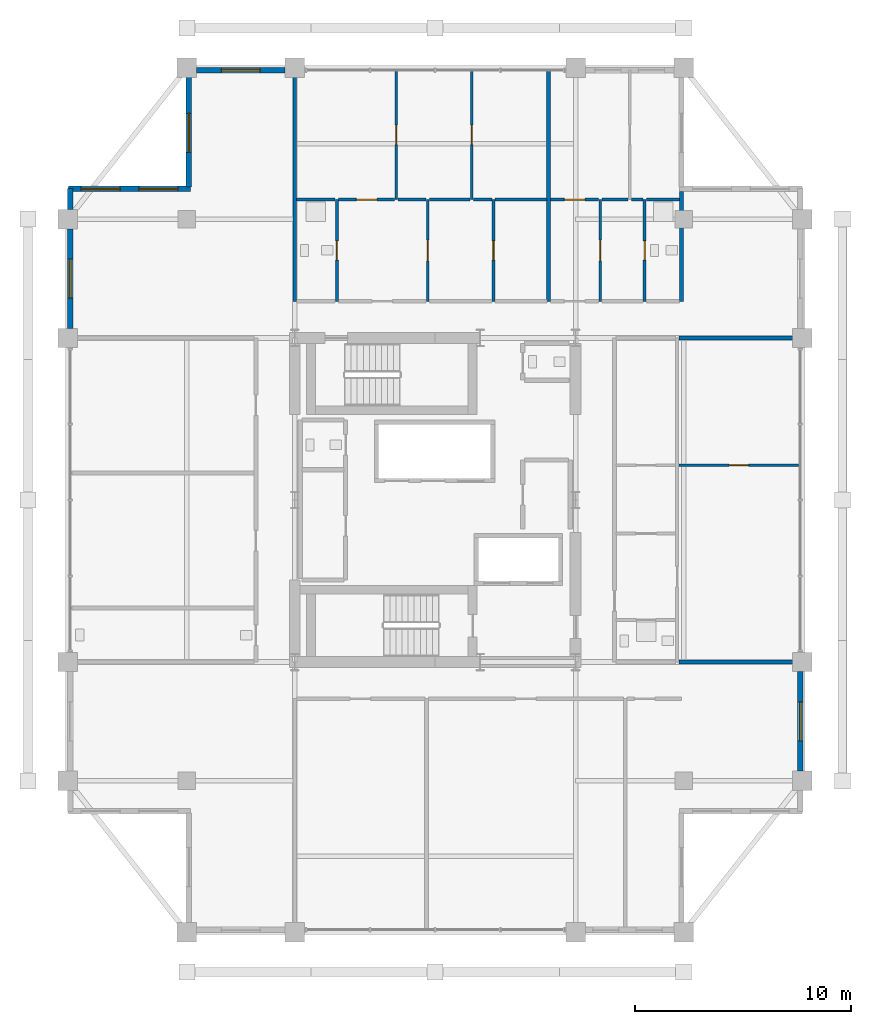
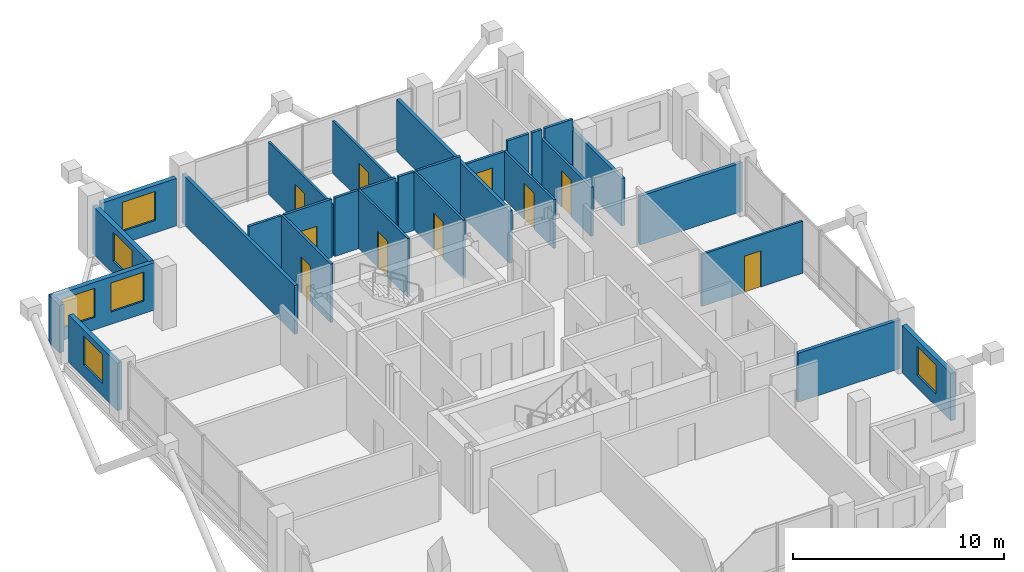
# One storey, part 20 of 23: 29 walls, 10 doors, 6 windows, 16 openings.
"""IFC4 building model written with IfcOpenShell, lengths in metres."""

import ifcopenshell
import ifcopenshell.guid

model = None  # the IFC model being written
_history = None  # IfcOwnerHistory: only IFC2X3 demands one
_inside = {}  # id of a spatial element -> (the spatial element, [elements in it])
_under = {}  # id of a project, library or spatial element -> (it, [spatial elements below it])
_declared = {}  # id of a project -> (the project, [libraries it declares])
_typed = {}  # id of a type object -> (the type object, [elements of that type])
_made_of = {}  # id of a material, layer set ... -> (it, [elements and type objects made of it])


def new_model(schema):
    """Start an empty IFC model of exactly this schema.

    Asked for "IFC4X3", IfcOpenShell would pick the latest addendum, in which some entities
    have other attributes; the version numbers below select the first issue.
    IFC2X3 requires an IfcOwnerHistory on every rooted entity: one is made here for all.
    """
    global model, _history
    if schema == "IFC4X3":
        model = ifcopenshell.file(schema_version=(4, 3, 0, 0))
    else:
        model = ifcopenshell.file(schema=schema)
    _inside.clear()
    _under.clear()
    _declared.clear()
    _typed.clear()
    _made_of.clear()
    _history = None
    if model.schema == "IFC2X3":
        org = make("IfcOrganization", Name="unknown")
        user = make(
            "IfcPersonAndOrganization",
            ThePerson=make("IfcPerson", FamilyName="unknown"),
            TheOrganization=org,
        )
        app = make(
            "IfcApplication",
            ApplicationDeveloper=org,
            Version="unknown",
            ApplicationFullName="unknown",
            ApplicationIdentifier="unknown",
        )
        _history = make(
            "IfcOwnerHistory",
            OwningUser=user,
            OwningApplication=app,
            ChangeAction="ADDED",
            CreationDate=0,
        )
    return model


def make(cls, **values):
    """One entity of the class cls with the attributes given. An attribute that is None is left unset."""
    return model.create_entity(
        cls, **{name: value for name, value in values.items() if value is not None}
    )


def rooted(cls, **values):
    """An entity with a GlobalId (a new one), such as an element, a storey or a relation."""
    return make(cls, GlobalId=ifcopenshell.guid.new(), OwnerHistory=_history, **values)


def si_unit(unit_type, name, prefix=None):
    """IfcSIUnit, for example si_unit("LENGTHUNIT", "METRE", prefix="MILLI")."""
    return make("IfcSIUnit", UnitType=unit_type, Prefix=prefix, Name=name)


def assignment(units):
    """IfcUnitAssignment: the units of a project."""
    return None if units is None else make("IfcUnitAssignment", Units=units)


def point(xyz):
    """IfcCartesianPoint."""
    return None if xyz is None else make("IfcCartesianPoint", Coordinates=xyz)


def direction(xyz):
    """IfcDirection."""
    return None if xyz is None else make("IfcDirection", DirectionRatios=xyz)


def frame(location, z_axis=None, x_axis=None):
    """IfcAxis2Placement3D, a coordinate frame: its origin and axes. An axis left out is left unset."""
    return make(
        "IfcAxis2Placement3D",
        Location=point(location),
        Axis=direction(z_axis),
        RefDirection=direction(x_axis),
    )


def frame_2d(location, x_axis=None):
    """IfcAxis2Placement2D, a coordinate frame in the plane: its origin and x axis."""
    return make(
        "IfcAxis2Placement2D", Location=point(location), RefDirection=direction(x_axis)
    )


def origin():
    """The frame at (0, 0, 0) with its axes left unset."""
    return frame((0.0, 0.0, 0.0))


def place(relative_to, where):
    """IfcLocalPlacement: puts the frame where relative to a parent placement (None: the world)."""
    return make(
        "IfcLocalPlacement", PlacementRelTo=relative_to, RelativePlacement=where
    )


def context(
    kind, dimensions, precision=None, world=None, true_north=None, identifier=None
):
    """IfcGeometricRepresentationContext, for example the 3D "Model" context."""
    return make(
        "IfcGeometricRepresentationContext",
        ContextIdentifier=identifier,
        ContextType=kind,
        CoordinateSpaceDimension=dimensions,
        Precision=precision,
        WorldCoordinateSystem=world,
        TrueNorth=true_north,
    )


def subcontext(parent, identifier, kind, view, scale=None):
    """IfcGeometricRepresentationSubContext, for example "Body" below "Model"."""
    return make(
        "IfcGeometricRepresentationSubContext",
        ContextIdentifier=identifier,
        ContextType=kind,
        ParentContext=parent,
        TargetScale=scale,
        TargetView=view,
    )


def project(units=None, contexts=None):
    """IfcProject with its units and contexts."""
    return rooted(
        "IfcProject",
        Name="project",
        RepresentationContexts=contexts,
        UnitsInContext=assignment(units),
    )


def spatial(cls, under=None, at=None, **own):
    """A site, building, storey or space (cls), placed at a placement, below another one or the project."""
    s = rooted(cls, ObjectPlacement=at, **own)
    if under is not None:
        _under.setdefault(under.id(), (under, []))[1].append(s)
    return s


def profile(cls, at=None, kind="AREA", **sizes):
    """A parametric profile (cls). Its sizes go by their IFC names, for example OverallWidth=200.0."""
    return make(cls, ProfileType=kind, Position=at, **sizes)


def rectangle(**sizes):
    """IfcRectangleProfileDef."""
    return profile("IfcRectangleProfileDef", **sizes)


def extrude(swept, where, along, depth):
    """IfcExtrudedAreaSolid: the profile swept, set in the frame where, extruded along a direction by depth."""
    return make(
        "IfcExtrudedAreaSolid",
        SweptArea=swept,
        Position=where,
        ExtrudedDirection=direction(along),
        Depth=depth,
    )


def shape(context_of_items, identifier, shape_type, items):
    """IfcShapeRepresentation: the items that make up one representation, for example the "Body"."""
    return make(
        "IfcShapeRepresentation",
        ContextOfItems=context_of_items,
        RepresentationIdentifier=identifier,
        RepresentationType=shape_type,
        Items=items,
    )


def material(Name=None, Category=None):
    """IfcMaterial."""
    return make("IfcMaterial", Name=Name, Category=Category)


def layer(
    of_material, thickness, ventilated=None, Name=None, Category=None, Priority=None
):
    """IfcMaterialLayer: one layer of a wall or slab, of a material (None: an air gap)."""
    return make(
        "IfcMaterialLayer",
        Material=of_material,
        LayerThickness=thickness,
        IsVentilated=ventilated,
        Name=Name,
        Category=Category,
        Priority=Priority,
    )


def layer_set(layers, Name=None):
    """IfcMaterialLayerSet."""
    return make("IfcMaterialLayerSet", MaterialLayers=layers, LayerSetName=Name)


def made_of(thing, what):
    """Note that an element or type object is made of a material, layer set ...; save() writes the relation."""
    if what is not None:
        _made_of.setdefault(what.id(), (what, []))[1].append(thing)
    return thing


def type_object(cls, material=None, **own):
    """A type object (cls), such as IfcWallType, which elements share."""
    return made_of(rooted(cls, **own), material)


def element(
    cls,
    number,
    at=None,
    inside=None,
    cuts=None,
    type_object=None,
    material=None,
    context=None,
    identifier="Body",
    shape_type=None,
    held_by="IfcProductDefinitionShape",
    body=None,
    shapes=None,
    **own,
):
    """One element of the class cls, such as IfcWall. Its Tag is "e" and its number.

    at: its placement. inside: the storey or other place that contains it. cuts: it is an
    opening in that element (IfcRelVoidsElement). A single representation is given by context,
    identifier, shape_type and body (its items); several are given by shapes. held_by: the class
    of the entity that holds the representations. save() writes the other relations.
    """
    e = rooted(cls, Tag="e%d" % number, ObjectPlacement=at, **own)
    if body is not None:
        shapes = [shape(context, identifier, shape_type, body)]
    if shapes is not None:
        e.Representation = make(held_by, Representations=shapes)
    if inside is not None:
        _inside.setdefault(inside.id(), (inside, []))[1].append(e)
    if cuts is not None:
        rooted(
            "IfcRelVoidsElement", RelatingBuildingElement=cuts, RelatedOpeningElement=e
        )
    if type_object is not None:
        _typed.setdefault(type_object.id(), (type_object, []))[1].append(e)
    return made_of(e, material)


def fill(opening, filler):
    """IfcRelFillsElement: the door or window that sits in an opening."""
    return rooted(
        "IfcRelFillsElement",
        RelatingOpeningElement=opening,
        RelatedBuildingElement=filler,
    )


def aggregate(whole, parts):
    """IfcRelAggregates: a whole, such as a stair, and the parts it consists of."""
    return rooted("IfcRelAggregates", RelatingObject=whole, RelatedObjects=parts)


def save(model, path):
    """Write the relations noted so far, then the file.

    IfcRelAggregates (storeys below a building ...), IfcRelContainedInSpatialStructure (elements
    in a storey), IfcRelDefinesByType, IfcRelAssociatesMaterial and IfcRelDeclares: one each for
    every whole, place, type object, material and project.
    """
    for whole, parts in _under.values():
        aggregate(whole, parts)
    for where, things in _inside.values():
        rooted(
            "IfcRelContainedInSpatialStructure",
            RelatedElements=things,
            RelatingStructure=where,
        )
    for kind, things in _typed.values():
        rooted("IfcRelDefinesByType", RelatedObjects=things, RelatingType=kind)
    for what, things in _made_of.values():
        rooted("IfcRelAssociatesMaterial", RelatedObjects=things, RelatingMaterial=what)
    for by, libraries in _declared.values():
        rooted("IfcRelDeclares", RelatingContext=by, RelatedDefinitions=libraries)
    model.write(path)


model = new_model("IFC4")

# Units and contexts
model_context = context("Model", 3, precision=1e-05, world=origin(), true_north=direction((0.0, 1.0)))
body_context = subcontext(model_context, "Body", "Model", "MODEL_VIEW")
ifc_project = project(units=[si_unit("LENGTHUNIT", "METRE"), si_unit("AREAUNIT", "SQUARE_METRE"), si_unit("VOLUMEUNIT", "CUBIC_METRE"), si_unit("PLANEANGLEUNIT", "RADIAN"), si_unit("MASSUNIT", "GRAM", prefix="KILO")], contexts=[model_context])

# Site, building, storey
site_placement = place(None, origin())
site = spatial("IfcSite", under=ifc_project, at=site_placement, CompositionType="ELEMENT")
building_placement = place(site_placement, origin())
building = spatial("IfcBuilding", under=site, at=building_placement, Name="Barlavira Tower and Art Museum", CompositionType="ELEMENT")
storey_placement = place(building_placement, frame((0.0, 0.0, 279.89990234375)))
storey = spatial("IfcBuildingStorey", under=building, at=storey_placement, Name="L73", CompositionType="ELEMENT", Elevation=279.89990234375)

# Wall, opening, door
ifc_material_1 = material(Name="Gypsum acoustic stud partition", Category="gypsum")
ifc_layer_1 = layer(ifc_material_1, 0.1201171875, Name="Gypsum acoustic stud partition")
ifc_layer_set_1 = layer_set([ifc_layer_1], Name="Gypsum acoustic stud partition")
wall_type_1 = type_object("IfcWallType", Name="Apartment Internal Acoustic Partition 120", PredefinedType="PARTITIONING", material=ifc_layer_set_1)
wall_1_placement = place(storey_placement, frame((-1.800048828125, 13.89990234375, 0.0), z_axis=(0.0, 0.0, 1.0), x_axis=(0.0, 1.0, 0.0)))
wall_1 = element("IfcWall", 1, at=wall_1_placement, inside=storey, type_object=wall_type_1, Name="L73 Partition Wall 7", PredefinedType="PARTITIONING", context=body_context, shape_type="SweptSolid", body=[
    extrude(rectangle(XDim=6.0, YDim=0.1201171875, at=frame_2d((3.0, 0.0))), origin(), (0.0, 0.0, 1.0), 3.01806640625),
])
opening_1_placement = place(wall_1_placement, frame((2.550048828125, 0.0, 0.0)))
opening_1 = element("IfcOpeningElement", 2, at=opening_1_placement, cuts=wall_1, Name="Opening D-01", PredefinedType="OPENING", context=body_context, shape_type="SweptSolid", body=[
    extrude(rectangle(XDim=0.89990234375, YDim=2.10009765625, at=frame_2d((0.449951171875, 1.050048828125))), frame((0.0, 0.070068359375, 0.0), z_axis=(0.0, -1.0, 0.0), x_axis=(1.0, 0.0, 0.0)), (0.0, 0.0, 1.0), 0.14013671875),
])
ifc_material_2 = material(Name="Engineered coastal hardwood", Category="wood")
door_type_1 = type_object("IfcDoorType", Name="Internal Bedroom Timber Flush Door 900x2100", OperationType="NOTDEFINED", PredefinedType="DOOR", material=ifc_material_2)
door_1_placement = place(opening_1_placement, origin())
door_1 = element("IfcDoor", 3, at=door_1_placement, inside=storey, type_object=door_type_1, Name="Apartment N1 Bedroom 1 Door", OperationType="SINGLE_SWING_RIGHT", OverallHeight=2.10009765625, OverallWidth=0.89990234375, PredefinedType="DOOR", context=body_context, shape_type="SweptSolid", body=[
    extrude(rectangle(XDim=0.89990234375, YDim=2.10009765625, at=frame_2d((0.449951171875, 1.050048828125))), frame((0.0, 0.02490234375, 0.0), z_axis=(0.0, -1.0, 0.0), x_axis=(1.0, 0.0, 0.0)), (0.0, 0.0, 1.0), 0.050048828125),
])
fill(opening_1, door_1)

wall_2_placement = place(storey_placement, frame((-0.35009765625, 9.199951171875, 0.0), z_axis=(0.0, 0.0, 1.0), x_axis=(0.0, 1.0, 0.0)))
wall_2 = element("IfcWall", 4, at=wall_2_placement, inside=storey, type_object=wall_type_1, Name="L73 Partition Wall 9", PredefinedType="PARTITIONING", context=body_context, shape_type="SweptSolid", body=[
    extrude(rectangle(XDim=4.699951171875, YDim=0.1201171875, at=frame_2d((2.35009765625, 0.0))), origin(), (0.0, 0.0, 1.0), 3.380126953125),
])
opening_2_placement = place(wall_2_placement, frame((1.875, 0.0, 0.0)))
opening_2 = element("IfcOpeningElement", 5, at=opening_2_placement, cuts=wall_2, Name="Opening D-02", PredefinedType="OPENING", context=body_context, shape_type="SweptSolid", body=[
    extrude(rectangle(XDim=0.949951171875, YDim=2.10009765625, at=frame_2d((0.47509765625, 1.050048828125))), frame((0.0, 0.070068359375, 0.0), z_axis=(0.0, -1.0, 0.0), x_axis=(1.0, 0.0, 0.0)), (0.0, 0.0, 1.0), 0.14013671875),
])
door_type_2 = type_object("IfcDoorType", Name="Living and Salon Glazed-Leaf Door 950x2100", OperationType="NOTDEFINED", PredefinedType="DOOR", material=ifc_material_2)
door_2_placement = place(opening_2_placement, origin())
door_2 = element("IfcDoor", 6, at=door_2_placement, inside=storey, type_object=door_type_2, Name="Apartment N1 Kitchen Door", OperationType="SINGLE_SWING_LEFT", OverallHeight=2.10009765625, OverallWidth=0.949951171875, PredefinedType="DOOR", context=body_context, shape_type="SweptSolid", body=[
    extrude(rectangle(XDim=0.949951171875, YDim=2.10009765625, at=frame_2d((0.47509765625, 1.050048828125))), frame((0.0, 0.02490234375, 0.0), z_axis=(0.0, -1.0, 0.0), x_axis=(1.0, 0.0, 0.0)), (0.0, 0.0, 1.0), 0.050048828125),
])
fill(opening_2, door_2)

wall_3_placement = place(storey_placement, frame((1.699951171875, 13.89990234375, 0.0), z_axis=(0.0, 0.0, 1.0), x_axis=(0.0, 1.0, 0.0)))
wall_3 = element("IfcWall", 7, at=wall_3_placement, inside=storey, type_object=wall_type_1, Name="L73 Partition Wall 10", PredefinedType="PARTITIONING", context=body_context, shape_type="SweptSolid", body=[
    extrude(rectangle(XDim=6.0, YDim=0.1201171875, at=frame_2d((3.0, 0.0))), origin(), (0.0, 0.0, 1.0), 3.01806640625),
])
opening_3_placement = place(wall_3_placement, frame((2.550048828125, 0.0, 0.0)))
opening_3 = element("IfcOpeningElement", 8, at=opening_3_placement, cuts=wall_3, Name="Opening D-01", PredefinedType="OPENING", context=body_context, shape_type="SweptSolid", body=[
    extrude(rectangle(XDim=0.89990234375, YDim=2.10009765625, at=frame_2d((0.449951171875, 1.050048828125))), frame((0.0, 0.070068359375, 0.0), z_axis=(0.0, -1.0, 0.0), x_axis=(1.0, 0.0, 0.0)), (0.0, 0.0, 1.0), 0.14013671875),
])
door_3_placement = place(opening_3_placement, origin())
door_3 = element("IfcDoor", 9, at=door_3_placement, inside=storey, type_object=door_type_1, Name="Apartment N1 Bedroom 2 Door", OperationType="SINGLE_SWING_LEFT", OverallHeight=2.10009765625, OverallWidth=0.89990234375, PredefinedType="DOOR", context=body_context, shape_type="SweptSolid", body=[
    extrude(rectangle(XDim=0.89990234375, YDim=2.10009765625, at=frame_2d((0.449951171875, 1.050048828125))), frame((0.0, 0.02490234375, 0.0), z_axis=(0.0, -1.0, 0.0), x_axis=(1.0, 0.0, 0.0)), (0.0, 0.0, 1.0), 0.050048828125),
])
fill(opening_3, door_3)

wall_4_placement = place(storey_placement, frame((2.699951171875, 9.199951171875, 0.0), z_axis=(0.0, 0.0, 1.0), x_axis=(0.0, 1.0, 0.0)))
wall_4 = element("IfcWall", 10, at=wall_4_placement, inside=storey, type_object=wall_type_1, Name="L73 Partition Wall 11", PredefinedType="PARTITIONING", context=body_context, shape_type="SweptSolid", body=[
    extrude(rectangle(XDim=4.699951171875, YDim=0.1201171875, at=frame_2d((2.35009765625, 0.0))), origin(), (0.0, 0.0, 1.0), 3.380126953125),
])
opening_4_placement = place(wall_4_placement, frame((1.89990234375, 0.0, 0.0)))
opening_4 = element("IfcOpeningElement", 11, at=opening_4_placement, cuts=wall_4, Name="Opening D-01", PredefinedType="OPENING", context=body_context, shape_type="SweptSolid", body=[
    extrude(rectangle(XDim=0.89990234375, YDim=2.10009765625, at=frame_2d((0.449951171875, 1.050048828125))), frame((0.0, 0.070068359375, 0.0), z_axis=(0.0, -1.0, 0.0), x_axis=(1.0, 0.0, 0.0)), (0.0, 0.0, 1.0), 0.14013671875),
])
door_4_placement = place(opening_4_placement, origin())
door_4 = element("IfcDoor", 12, at=door_4_placement, inside=storey, type_object=door_type_1, Name="Apartment N1 Walk-In Dressing Room Door", OperationType="SINGLE_SWING_RIGHT", OverallHeight=2.10009765625, OverallWidth=0.89990234375, PredefinedType="DOOR", context=body_context, shape_type="SweptSolid", body=[
    extrude(rectangle(XDim=0.89990234375, YDim=2.10009765625, at=frame_2d((0.449951171875, 1.050048828125))), frame((0.0, 0.02490234375, 0.0), z_axis=(0.0, -1.0, 0.0), x_axis=(1.0, 0.0, 0.0)), (0.0, 0.0, 1.0), 0.050048828125),
])
fill(opening_4, door_4)

wall_5_placement = place(storey_placement, frame((7.64990234375, 9.199951171875, 0.0), z_axis=(0.0, 0.0, 1.0), x_axis=(0.0, 1.0, 0.0)))
wall_5 = element("IfcWall", 13, at=wall_5_placement, inside=storey, type_object=wall_type_1, Name="L73 Partition Wall 16", PredefinedType="PARTITIONING", context=body_context, shape_type="SweptSolid", body=[
    extrude(rectangle(XDim=4.699951171875, YDim=0.1201171875, at=frame_2d((2.35009765625, 0.0))), origin(), (0.0, 0.0, 1.0), 2.826171875),
])
opening_5_placement = place(wall_5_placement, frame((1.875, 0.0, 0.0)))
opening_5 = element("IfcOpeningElement", 14, at=opening_5_placement, cuts=wall_5, Name="Opening D-02", PredefinedType="OPENING", context=body_context, shape_type="SweptSolid", body=[
    extrude(rectangle(XDim=0.949951171875, YDim=2.10009765625, at=frame_2d((0.47509765625, 1.050048828125))), frame((0.0, 0.070068359375, 0.0), z_axis=(0.0, -1.0, 0.0), x_axis=(1.0, 0.0, 0.0)), (0.0, 0.0, 1.0), 0.14013671875),
])
door_5_placement = place(opening_5_placement, origin())
door_5 = element("IfcDoor", 15, at=door_5_placement, inside=storey, type_object=door_type_2, Name="Apartment N2 Kitchen Door", OperationType="SINGLE_SWING_LEFT", OverallHeight=2.10009765625, OverallWidth=0.949951171875, PredefinedType="DOOR", context=body_context, shape_type="SweptSolid", body=[
    extrude(rectangle(XDim=0.949951171875, YDim=2.10009765625, at=frame_2d((0.47509765625, 1.050048828125))), frame((0.0, 0.02490234375, 0.0), z_axis=(0.0, -1.0, 0.0), x_axis=(1.0, 0.0, 0.0)), (0.0, 0.0, 1.0), 0.050048828125),
])
fill(opening_5, door_5)

wall_6_placement = place(storey_placement, frame((11.280029296875, 1.60009765625, 0.0), z_axis=(0.0, 0.0, 1.0), x_axis=(1.0, 0.0, 0.0)))
wall_6 = element("IfcWall", 16, at=wall_6_placement, inside=storey, type_object=wall_type_1, Name="L73 Partition Wall 36", PredefinedType="PARTITIONING", context=body_context, shape_type="SweptSolid", body=[
    extrude(rectangle(XDim=5.5400390625, YDim=0.1201171875, at=frame_2d((2.77001953125, 0.0))), origin(), (0.0, 0.0, 1.0), 3.01806640625),
])
opening_6_placement = place(wall_6_placement, frame((2.330078125, 0.0, 0.0)))
opening_6 = element("IfcOpeningElement", 17, at=opening_6_placement, cuts=wall_6, Name="Opening D-01", PredefinedType="OPENING", context=body_context, shape_type="SweptSolid", body=[
    extrude(rectangle(XDim=0.89990234375, YDim=2.10009765625, at=frame_2d((0.449951171875, 1.050048828125))), frame((0.0, 0.070068359375, 0.0), z_axis=(0.0, -1.0, 0.0), x_axis=(1.0, 0.0, 0.0)), (0.0, 0.0, 1.0), 0.14013671875),
])
door_6_placement = place(opening_6_placement, origin())
door_6 = element("IfcDoor", 18, at=door_6_placement, inside=storey, type_object=door_type_1, Name="Apartment E1 Bedroom 1 Door", OperationType="SINGLE_SWING_LEFT", OverallHeight=2.10009765625, OverallWidth=0.89990234375, PredefinedType="DOOR", context=body_context, shape_type="SweptSolid", body=[
    extrude(rectangle(XDim=0.89990234375, YDim=2.10009765625, at=frame_2d((0.449951171875, 1.050048828125))), frame((0.0, 0.02490234375, 0.0), z_axis=(0.0, -1.0, 0.0), x_axis=(1.0, 0.0, 0.0)), (0.0, 0.0, 1.0), 0.050048828125),
])
fill(opening_6, door_6)

# Walls
ifc_layer_2 = layer(ifc_material_1, 0.179931640625, Name="Gypsum acoustic stud partition")
ifc_layer_set_2 = layer_set([ifc_layer_2], Name="Gypsum acoustic stud partition")
wall_type_2 = type_object("IfcWallType", Name="Inter-Tenancy Party Partition Wall 180", PredefinedType="PARTITIONING", material=ifc_layer_set_2)
wall_7_placement = place(storey_placement, frame((-6.5, 9.199951171875, 0.0), z_axis=(0.0, 0.0, 1.0), x_axis=(0.0, 1.0, 0.0)))
element("IfcWall", 19, at=wall_7_placement, inside=storey, type_object=wall_type_2, Name="L73 Partition Wall 3", PredefinedType="PARTITIONING", context=body_context, shape_type="SweptSolid", body=[
    extrude(rectangle(XDim=10.699951171875, YDim=0.179931640625, at=frame_2d((5.35009765625, 0.0))), origin(), (0.0, 0.0, 1.0), 2.826171875),
])
wall_8_placement = place(storey_placement, frame((5.25, 9.199951171875, 0.0), z_axis=(0.0, 0.0, 1.0), x_axis=(0.0, 1.0, 0.0)))
element("IfcWall", 20, at=wall_8_placement, inside=storey, type_object=wall_type_2, Name="L73 Partition Wall 14", PredefinedType="PARTITIONING", context=body_context, shape_type="SweptSolid", body=[
    extrude(rectangle(XDim=10.699951171875, YDim=0.179931640625, at=frame_2d((5.35009765625, 0.0))), origin(), (0.0, 0.0, 1.0), 3.01806640625),
])
wall_9_placement = place(storey_placement, frame((11.39990234375, 9.199951171875, 0.0), z_axis=(0.0, 0.0, 1.0), x_axis=(0.0, 1.0, 0.0)))
element("IfcWall", 21, at=wall_9_placement, inside=storey, type_object=wall_type_2, Name="L73 Partition Wall 22", PredefinedType="PARTITIONING", context=body_context, shape_type="SweptSolid", body=[
    extrude(rectangle(XDim=5.070068359375, YDim=0.179931640625, at=frame_2d((2.53515625, 0.0))), origin(), (0.0, 0.0, 1.0), 2.748046875),
])
for number, where, z_axis, x_axis, name in (
    (22, (11.280029296875, -7.5, 0.0), (0.0, 0.0, 1.0), (1.0, 0.0, 0.0), "L73 Partition Wall 28"),
    (23, (11.280029296875, 7.5, 0.0), (0.0, 0.0, 1.0), (1.0, 0.0, 0.0), "L73 Partition Wall 43"),
):
    element("IfcWall", number, at=place(storey_placement, frame(where, z_axis=z_axis, x_axis=x_axis)), inside=storey, type_object=wall_type_2, Name=name, PredefinedType="PARTITIONING", context=body_context, shape_type="SweptSolid", body=[
        extrude(rectangle(XDim=5.619873046875, YDim=0.179931640625, at=frame_2d((2.81005859375, 0.0))), origin(), (0.0, 0.0, 1.0), 2.826171875),
    ])

# Wall, opening, door
ifc_layer_3 = layer(ifc_material_1, 0.139892578125, Name="Gypsum acoustic stud partition")
ifc_layer_set_3 = layer_set([ifc_layer_3], Name="Gypsum acoustic stud partition")
wall_type_3 = type_object("IfcWallType", Name="Moisture-Resistant Bathroom Partition 140", PredefinedType="PARTITIONING", material=ifc_layer_set_3)
wall_10_placement = place(storey_placement, frame((-4.550048828125, 9.199951171875, 0.0), z_axis=(0.0, 0.0, 1.0), x_axis=(0.0, 1.0, 0.0)))
wall_10 = element("IfcWall", 24, at=wall_10_placement, inside=storey, type_object=wall_type_3, Name="L73 Partition Wall 5", PredefinedType="PARTITIONING", context=body_context, shape_type="SweptSolid", body=[
    extrude(rectangle(XDim=4.699951171875, YDim=0.139892578125, at=frame_2d((2.35009765625, 0.0))), origin(), (0.0, 0.0, 1.0), 3.380126953125),
])
opening_7_placement = place(wall_10_placement, frame((1.89990234375, 0.0, 0.0)))
opening_7 = element("IfcOpeningElement", 25, at=opening_7_placement, cuts=wall_10, Name="Opening D-WC", PredefinedType="OPENING", context=body_context, shape_type="SweptSolid", body=[
    extrude(rectangle(XDim=0.89990234375, YDim=2.10009765625, at=frame_2d((0.449951171875, 1.050048828125))), frame((0.0, 0.080078125, 0.0), z_axis=(0.0, -1.0, 0.0), x_axis=(1.0, 0.0, 0.0)), (0.0, 0.0, 1.0), 0.159912109375),
])
door_type_3 = type_object("IfcDoorType", Name="Accessible Bathroom Flush Door 900x2100", OperationType="NOTDEFINED", PredefinedType="DOOR", material=ifc_material_2)
door_7_placement = place(opening_7_placement, origin())
door_7 = element("IfcDoor", 26, at=door_7_placement, inside=storey, type_object=door_type_3, Name="Apartment N1 Hall Bathroom Door", OperationType="SINGLE_SWING_LEFT", OverallHeight=2.10009765625, OverallWidth=0.89990234375, PredefinedType="DOOR", context=body_context, shape_type="SweptSolid", body=[
    extrude(rectangle(XDim=0.89990234375, YDim=2.10009765625, at=frame_2d((0.449951171875, 1.050048828125))), frame((0.0, 0.02490234375, 0.0), z_axis=(0.0, -1.0, 0.0), x_axis=(1.0, 0.0, 0.0)), (0.0, 0.0, 1.0), 0.050048828125),
])
fill(opening_7, door_7)

wall_11_placement = place(storey_placement, frame((9.699951171875, 9.199951171875, 0.0), z_axis=(0.0, 0.0, 1.0), x_axis=(0.0, 1.0, 0.0)))
wall_11 = element("IfcWall", 27, at=wall_11_placement, inside=storey, type_object=wall_type_3, Name="L73 Partition Wall 20", PredefinedType="PARTITIONING", context=body_context, shape_type="SweptSolid", body=[
    extrude(rectangle(XDim=4.699951171875, YDim=0.139892578125, at=frame_2d((2.35009765625, 0.0))), origin(), (0.0, 0.0, 1.0), 2.826171875),
])
opening_8_placement = place(wall_11_placement, frame((1.89990234375, 0.0, 0.0)))
opening_8 = element("IfcOpeningElement", 28, at=opening_8_placement, cuts=wall_11, Name="Opening D-WC", PredefinedType="OPENING", context=body_context, shape_type="SweptSolid", body=[
    extrude(rectangle(XDim=0.89990234375, YDim=2.10009765625, at=frame_2d((0.449951171875, 1.050048828125))), frame((0.0, 0.080078125, 0.0), z_axis=(0.0, -1.0, 0.0), x_axis=(1.0, 0.0, 0.0)), (0.0, 0.0, 1.0), 0.159912109375),
])
door_8_placement = place(opening_8_placement, origin())
door_8 = element("IfcDoor", 29, at=door_8_placement, inside=storey, type_object=door_type_3, Name="Apartment N2 Hall Bathroom Door", OperationType="SINGLE_SWING_RIGHT", OverallHeight=2.10009765625, OverallWidth=0.89990234375, PredefinedType="DOOR", context=body_context, shape_type="SweptSolid", body=[
    extrude(rectangle(XDim=0.89990234375, YDim=2.10009765625, at=frame_2d((0.449951171875, 1.050048828125))), frame((0.0, 0.02490234375, 0.0), z_axis=(0.0, -1.0, 0.0), x_axis=(1.0, 0.0, 0.0)), (0.0, 0.0, 1.0), 0.050048828125),
])
fill(opening_8, door_8)

# Wall
wall_12_placement = place(storey_placement, frame((-6.419921875, 13.89990234375, 0.0), z_axis=(0.0, 0.0, 1.0), x_axis=(1.0, 0.0, 0.0)))
element("IfcWall", 30, at=wall_12_placement, inside=storey, type_object=wall_type_3, Name="L73 Partition Wall 51", PredefinedType="PARTITIONING", context=body_context, shape_type="SweptSolid", body=[
    extrude(rectangle(XDim=1.7900390625, YDim=0.139892578125, at=frame_2d((0.89501953125, 0.0))), origin(), (0.0, 0.0, 1.0), 3.380126953125),
])

# Wall, opening, door
wall_13_placement = place(storey_placement, frame((-4.469970703125, 13.89990234375, 0.0), z_axis=(0.0, 0.0, 1.0), x_axis=(1.0, 0.0, 0.0)))
wall_13 = element("IfcWall", 31, at=wall_13_placement, inside=storey, type_object=wall_type_3, Name="L73 Partition Wall 52", PredefinedType="PARTITIONING", context=body_context, shape_type="SweptSolid", body=[
    extrude(rectangle(XDim=2.590087890625, YDim=0.139892578125, at=frame_2d((1.294921875, 0.0))), origin(), (0.0, 0.0, 1.0), 3.380126953125),
])
opening_9_placement = place(wall_13_placement, frame((0.824951171875, 0.0, 0.0)))
opening_9 = element("IfcOpeningElement", 32, at=opening_9_placement, cuts=wall_13, Name="Opening D-02", PredefinedType="OPENING", context=body_context, shape_type="SweptSolid", body=[
    extrude(rectangle(XDim=0.949951171875, YDim=2.10009765625, at=frame_2d((0.47509765625, 1.050048828125))), frame((0.0, 0.080078125, 0.0), z_axis=(0.0, -1.0, 0.0), x_axis=(1.0, 0.0, 0.0)), (0.0, 0.0, 1.0), 0.159912109375),
])
door_9_placement = place(opening_9_placement, origin())
door_9 = element("IfcDoor", 33, at=door_9_placement, inside=storey, type_object=door_type_2, Name="Apartment N1 Living Lounge Door", OperationType="SINGLE_SWING_LEFT", OverallHeight=2.10009765625, OverallWidth=0.949951171875, PredefinedType="DOOR", context=body_context, shape_type="SweptSolid", body=[
    extrude(rectangle(XDim=0.949951171875, YDim=2.10009765625, at=frame_2d((0.47509765625, 1.050048828125))), frame((0.0, 0.02490234375, 0.0), z_axis=(0.0, -1.0, 0.0), x_axis=(1.0, 0.0, 0.0)), (0.0, 0.0, 1.0), 0.050048828125),
])
fill(opening_9, door_9)

# Walls
wall_14_placement = place(storey_placement, frame((-1.719970703125, 13.89990234375, 0.0), z_axis=(0.0, 0.0, 1.0), x_axis=(1.0, 0.0, 0.0)))
element("IfcWall", 34, at=wall_14_placement, inside=storey, type_object=wall_type_3, Name="L73 Partition Wall 53", PredefinedType="PARTITIONING", context=body_context, shape_type="SweptSolid", body=[
    extrude(rectangle(XDim=1.2900390625, YDim=0.139892578125, at=frame_2d((0.64501953125, 0.0))), origin(), (0.0, 0.0, 1.0), 3.380126953125),
])
wall_15_placement = place(storey_placement, frame((-0.27001953125, 13.89990234375, 0.0), z_axis=(0.0, 0.0, 1.0), x_axis=(1.0, 0.0, 0.0)))
element("IfcWall", 35, at=wall_15_placement, inside=storey, type_object=wall_type_3, Name="L73 Partition Wall 54", PredefinedType="PARTITIONING", context=body_context, shape_type="SweptSolid", body=[
    extrude(rectangle(XDim=1.89013671875, YDim=0.139892578125, at=frame_2d((0.945068359375, 0.0))), origin(), (0.0, 0.0, 1.0), 3.380126953125),
])
wall_16_placement = place(storey_placement, frame((1.780029296875, 13.89990234375, 0.0), z_axis=(0.0, 0.0, 1.0), x_axis=(1.0, 0.0, 0.0)))
element("IfcWall", 36, at=wall_16_placement, inside=storey, type_object=wall_type_3, Name="L73 Partition Wall 55", PredefinedType="PARTITIONING", context=body_context, shape_type="SweptSolid", body=[
    extrude(rectangle(XDim=0.840087890625, YDim=0.139892578125, at=frame_2d((0.419921875, 0.0))), origin(), (0.0, 0.0, 1.0), 3.380126953125),
])
wall_17_placement = place(storey_placement, frame((2.780029296875, 13.89990234375, 0.0), z_axis=(0.0, 0.0, 1.0), x_axis=(1.0, 0.0, 0.0)))
element("IfcWall", 37, at=wall_17_placement, inside=storey, type_object=wall_type_3, Name="L73 Partition Wall 56", PredefinedType="PARTITIONING", context=body_context, shape_type="SweptSolid", body=[
    extrude(rectangle(XDim=2.389892578125, YDim=0.139892578125, at=frame_2d((1.19482421875, 0.0))), origin(), (0.0, 0.0, 1.0), 3.380126953125),
])

# Wall, opening, door
wall_18_placement = place(storey_placement, frame((5.330078125, 13.89990234375, 0.0), z_axis=(0.0, 0.0, 1.0), x_axis=(1.0, 0.0, 0.0)))
wall_18 = element("IfcWall", 38, at=wall_18_placement, inside=storey, type_object=wall_type_3, Name="L73 Partition Wall 57", PredefinedType="PARTITIONING", context=body_context, shape_type="SweptSolid", body=[
    extrude(rectangle(XDim=2.239990234375, YDim=0.139892578125, at=frame_2d((1.1201171875, 0.0))), origin(), (0.0, 0.0, 1.0), 2.826171875),
])
opening_10_placement = place(wall_18_placement, frame((0.64501953125, 0.0, 0.0)))
opening_10 = element("IfcOpeningElement", 39, at=opening_10_placement, cuts=wall_18, Name="Opening D-02", PredefinedType="OPENING", context=body_context, shape_type="SweptSolid", body=[
    extrude(rectangle(XDim=0.949951171875, YDim=2.10009765625, at=frame_2d((0.47509765625, 1.050048828125))), frame((0.0, 0.080078125, 0.0), z_axis=(0.0, -1.0, 0.0), x_axis=(1.0, 0.0, 0.0)), (0.0, 0.0, 1.0), 0.159912109375),
])
door_10_placement = place(opening_10_placement, origin())
door_10 = element("IfcDoor", 40, at=door_10_placement, inside=storey, type_object=door_type_2, Name="Apartment N2 Living Lounge Door", OperationType="SINGLE_SWING_LEFT", OverallHeight=2.10009765625, OverallWidth=0.949951171875, PredefinedType="DOOR", context=body_context, shape_type="SweptSolid", body=[
    extrude(rectangle(XDim=0.949951171875, YDim=2.10009765625, at=frame_2d((0.47509765625, 1.050048828125))), frame((0.0, 0.02490234375, 0.0), z_axis=(0.0, -1.0, 0.0), x_axis=(1.0, 0.0, 0.0)), (0.0, 0.0, 1.0), 0.050048828125),
])
fill(opening_10, door_10)

# Walls
wall_19_placement = place(storey_placement, frame((7.72998046875, 13.89990234375, 0.0), z_axis=(0.0, 0.0, 1.0), x_axis=(1.0, 0.0, 0.0)))
element("IfcWall", 41, at=wall_19_placement, inside=storey, type_object=wall_type_3, Name="L73 Partition Wall 58", PredefinedType="PARTITIONING", context=body_context, shape_type="SweptSolid", body=[
    extrude(rectangle(XDim=1.18994140625, YDim=0.139892578125, at=frame_2d((0.594970703125, 0.0))), origin(), (0.0, 0.0, 1.0), 3.380126953125),
])
wall_20_placement = place(storey_placement, frame((9.080078125, 13.89990234375, 0.0), z_axis=(0.0, 0.0, 1.0), x_axis=(1.0, 0.0, 0.0)))
element("IfcWall", 42, at=wall_20_placement, inside=storey, type_object=wall_type_3, Name="L73 Partition Wall 59", PredefinedType="PARTITIONING", context=body_context, shape_type="SweptSolid", body=[
    extrude(rectangle(XDim=0.5400390625, YDim=0.139892578125, at=frame_2d((0.27001953125, 0.0))), origin(), (0.0, 0.0, 1.0), 3.380126953125),
])
wall_21_placement = place(storey_placement, frame((9.780029296875, 13.89990234375, 0.0), z_axis=(0.0, 0.0, 1.0), x_axis=(1.0, 0.0, 0.0)))
element("IfcWall", 43, at=wall_21_placement, inside=storey, type_object=wall_type_3, Name="L73 Partition Wall 60", PredefinedType="PARTITIONING", context=body_context, shape_type="SweptSolid", body=[
    extrude(rectangle(XDim=1.5400390625, YDim=0.139892578125, at=frame_2d((0.77001953125, 0.0))), origin(), (0.0, 0.0, 1.0), 3.380126953125),
])

# Wall, opening, window
ifc_material_3 = material(Name="Precast concrete C40", Category="concrete")
ifc_layer_4 = layer(ifc_material_3, 0.25, Name="Precast concrete C40")
ifc_layer_set_4 = layer_set([ifc_layer_4], Name="Precast concrete C40")
wall_type_4 = type_object("IfcWallType", Name="Notched Corner Spandrel Wall 250 Precast Concrete C40", PredefinedType="SOLIDWALL", material=ifc_layer_set_4)
wall_22_placement = place(storey_placement, frame((-6.945068359375, 19.89990234375, 0.0), z_axis=(0.0, 0.0, 1.0), x_axis=(-1.0, 0.0, 0.0)))
wall_22 = element("IfcWall", 44, at=wall_22_placement, inside=storey, type_object=wall_type_4, Name="L73 Coastal Facade Pier Wall CW4-L73-N-3", PredefinedType="SOLIDWALL", context=body_context, shape_type="SweptSolid", body=[
    extrude(rectangle(XDim=4.10986328125, YDim=0.25, at=frame_2d((2.054931640625, 0.0))), origin(), (0.0, 0.0, 1.0), 2.748046875),
])
opening_11_placement = place(wall_22_placement, frame((1.155029296875, 0.0, 0.719970703125)))
opening_11 = element("IfcOpeningElement", 45, at=opening_11_placement, cuts=wall_22, Name="Opening WN-01", PredefinedType="OPENING", context=body_context, shape_type="SweptSolid", body=[
    extrude(rectangle(XDim=1.800048828125, YDim=1.679931640625, at=frame_2d((0.89990234375, 0.83984375))), frame((0.0, 0.135009765625, 0.0), z_axis=(0.0, -1.0, 0.0), x_axis=(1.0, 0.0, 0.0)), (0.0, 0.0, 1.0), 0.27001953125),
])
ifc_material_4 = material(Name="Low-iron coastal laminated glass", Category="glass")
window_type = type_object("IfcWindowType", Name="Recessed Notch Corner Punch Window 1800x1680", PartitioningType="SINGLE_PANEL", PredefinedType="WINDOW", material=ifc_material_4)
window_1_placement = place(opening_11_placement, origin())
window_1 = element("IfcWindow", 46, at=window_1_placement, inside=storey, type_object=window_type, Name="L73 Punched Facade Window EWP-CW4-L73-N-3-1", OverallHeight=1.679931640625, OverallWidth=1.800048828125, PartitioningType="SINGLE_PANEL", PredefinedType="WINDOW", context=body_context, shape_type="SweptSolid", body=[
    extrude(rectangle(XDim=1.800048828125, YDim=1.679931640625, at=frame_2d((0.89990234375, 0.83984375))), frame((0.0, 0.030029296875, 0.0), z_axis=(0.0, -1.0, 0.0), x_axis=(1.0, 0.0, 0.0)), (0.0, 0.0, 1.0), 0.06005859375),
])
fill(opening_11, window_1)

# Wall
wall_23_placement = place(storey_placement, frame((-16.89990234375, 14.425048828125, 0.0), z_axis=(0.0, 0.0, 1.0), x_axis=(0.0, -1.0, 0.0)))
element("IfcWall", 47, at=wall_23_placement, inside=storey, type_object=wall_type_4, Name="L73 Coastal Facade Pier Wall CW4-L73-W-1", PredefinedType="SOLIDWALL", context=body_context, shape_type="SweptSolid", body=[
    extrude(rectangle(XDim=0.97998046875, YDim=0.25, at=frame_2d((0.489990234375, 0.0))), origin(), (0.0, 0.0, 1.0), 2.748046875),
])

# Wall, opening, window
wall_24_placement = place(storey_placement, frame((-16.89990234375, 12.554931640625, 0.0), z_axis=(0.0, 0.0, 1.0), x_axis=(0.0, -1.0, 0.0)))
wall_24 = element("IfcWall", 48, at=wall_24_placement, inside=storey, type_object=wall_type_4, Name="L73 Coastal Facade Pier Wall CW4-L73-W-2", PredefinedType="SOLIDWALL", context=body_context, shape_type="SweptSolid", body=[
    extrude(rectangle(XDim=4.60986328125, YDim=0.25, at=frame_2d((2.304931640625, 0.0))), origin(), (0.0, 0.0, 1.0), 2.748046875),
])
opening_12_placement = place(wall_24_placement, frame((1.405029296875, 0.0, 0.719970703125)))
opening_12 = element("IfcOpeningElement", 49, at=opening_12_placement, cuts=wall_24, Name="Opening WN-01", PredefinedType="OPENING", context=body_context, shape_type="SweptSolid", body=[
    extrude(rectangle(XDim=1.800048828125, YDim=1.679931640625, at=frame_2d((0.89990234375, 0.83984375))), frame((0.0, 0.135009765625, 0.0), z_axis=(0.0, -1.0, 0.0), x_axis=(1.0, 0.0, 0.0)), (0.0, 0.0, 1.0), 0.27001953125),
])
window_2_placement = place(opening_12_placement, origin())
window_2 = element("IfcWindow", 50, at=window_2_placement, inside=storey, type_object=window_type, Name="L73 Punched Facade Window EWP-CW4-L73-W-2-1", OverallHeight=1.679931640625, OverallWidth=1.800048828125, PartitioningType="SINGLE_PANEL", PredefinedType="WINDOW", context=body_context, shape_type="SweptSolid", body=[
    extrude(rectangle(XDim=1.800048828125, YDim=1.679931640625, at=frame_2d((0.89990234375, 0.83984375))), frame((0.0, 0.030029296875, 0.0), z_axis=(0.0, -1.0, 0.0), x_axis=(1.0, 0.0, 0.0)), (0.0, 0.0, 1.0), 0.06005859375),
])
fill(opening_12, window_2)

wall_25_placement = place(storey_placement, frame((16.89990234375, -12.554931640625, 0.0), z_axis=(0.0, 0.0, 1.0), x_axis=(0.0, 1.0, 0.0)))
wall_25 = element("IfcWall", 51, at=wall_25_placement, inside=storey, type_object=wall_type_4, Name="L73 Coastal Facade Pier Wall CW4-L73-E-2", PredefinedType="SOLIDWALL", context=body_context, shape_type="SweptSolid", body=[
    extrude(rectangle(XDim=4.60986328125, YDim=0.25, at=frame_2d((2.304931640625, 0.0))), origin(), (0.0, 0.0, 1.0), 2.748046875),
])
opening_13_placement = place(wall_25_placement, frame((1.405029296875, 0.0, 0.719970703125)))
opening_13 = element("IfcOpeningElement", 52, at=opening_13_placement, cuts=wall_25, Name="Opening WN-01", PredefinedType="OPENING", context=body_context, shape_type="SweptSolid", body=[
    extrude(rectangle(XDim=1.800048828125, YDim=1.679931640625, at=frame_2d((0.89990234375, 0.83984375))), frame((0.0, 0.135009765625, 0.0), z_axis=(0.0, -1.0, 0.0), x_axis=(1.0, 0.0, 0.0)), (0.0, 0.0, 1.0), 0.27001953125),
])
window_3_placement = place(opening_13_placement, origin())
window_3 = element("IfcWindow", 53, at=window_3_placement, inside=storey, type_object=window_type, Name="L73 Punched Facade Window EWP-CW4-L73-E-2-1", OverallHeight=1.679931640625, OverallWidth=1.800048828125, PartitioningType="SINGLE_PANEL", PredefinedType="WINDOW", context=body_context, shape_type="SweptSolid", body=[
    extrude(rectangle(XDim=1.800048828125, YDim=1.679931640625, at=frame_2d((0.89990234375, 0.83984375))), frame((0.0, 0.030029296875, 0.0), z_axis=(0.0, -1.0, 0.0), x_axis=(1.0, 0.0, 0.0)), (0.0, 0.0, 1.0), 0.06005859375),
])
fill(opening_13, window_3)

wall_26_placement = place(storey_placement, frame((-11.39990234375, 19.820068359375, 0.0), z_axis=(0.0, 0.0, 1.0), x_axis=(0.0, -1.0, 0.0)))
wall_26 = element("IfcWall", 54, at=wall_26_placement, inside=storey, type_object=wall_type_4, Name="L73 Notch Corner Wall NW1", PredefinedType="SOLIDWALL", context=body_context, shape_type="SweptSolid", body=[
    extrude(rectangle(XDim=5.340087890625, YDim=0.25, at=frame_2d((2.669921875, 0.0))), origin(), (0.0, 0.0, 1.0), 2.748046875),
])
opening_14_placement = place(wall_26_placement, frame((1.925048828125, 0.0, 0.719970703125)))
opening_14 = element("IfcOpeningElement", 55, at=opening_14_placement, cuts=wall_26, Name="Opening WN-01", PredefinedType="OPENING", context=body_context, shape_type="SweptSolid", body=[
    extrude(rectangle(XDim=1.800048828125, YDim=1.679931640625, at=frame_2d((0.89990234375, 0.83984375))), frame((0.0, 0.135009765625, 0.0), z_axis=(0.0, -1.0, 0.0), x_axis=(1.0, 0.0, 0.0)), (0.0, 0.0, 1.0), 0.27001953125),
])
window_4_placement = place(opening_14_placement, origin())
window_4 = element("IfcWindow", 56, at=window_4_placement, inside=storey, type_object=window_type, Name="L73 Punched Facade Window EW-NTC-L73-NW1-1", OverallHeight=1.679931640625, OverallWidth=1.800048828125, PartitioningType="SINGLE_PANEL", PredefinedType="WINDOW", context=body_context, shape_type="SweptSolid", body=[
    extrude(rectangle(XDim=1.800048828125, YDim=1.679931640625, at=frame_2d((0.89990234375, 0.83984375))), frame((0.0, 0.030029296875, 0.0), z_axis=(0.0, -1.0, 0.0), x_axis=(1.0, 0.0, 0.0)), (0.0, 0.0, 1.0), 0.06005859375),
])
fill(opening_14, window_4)

# Wall, openings, windows
wall_27_placement = place(storey_placement, frame((-11.320068359375, 14.39990234375, 0.0), z_axis=(0.0, 0.0, 1.0), x_axis=(-1.0, 0.0, 0.0)))
wall_27 = element("IfcWall", 57, at=wall_27_placement, inside=storey, type_object=wall_type_4, Name="L73 Notch Corner Wall NW2", PredefinedType="SOLIDWALL", context=body_context, shape_type="SweptSolid", body=[
    extrude(rectangle(XDim=5.659912109375, YDim=0.25, at=frame_2d((2.830078125, 0.0))), origin(), (0.0, 0.0, 1.0), 2.748046875),
])
opening_15_placement = place(wall_27_placement, frame((0.594970703125, 0.0, 0.719970703125)))
opening_15 = element("IfcOpeningElement", 58, at=opening_15_placement, cuts=wall_27, Name="Opening WN-01", PredefinedType="OPENING", context=body_context, shape_type="SweptSolid", body=[
    extrude(rectangle(XDim=1.800048828125, YDim=1.679931640625, at=frame_2d((0.89990234375, 0.83984375))), frame((0.0, 0.135009765625, 0.0), z_axis=(0.0, -1.0, 0.0), x_axis=(1.0, 0.0, 0.0)), (0.0, 0.0, 1.0), 0.27001953125),
])
opening_16_placement = place(wall_27_placement, frame((3.264892578125, 0.0, 0.719970703125)))
opening_16 = element("IfcOpeningElement", 59, at=opening_16_placement, cuts=wall_27, Name="Opening WN-01", PredefinedType="OPENING", context=body_context, shape_type="SweptSolid", body=[
    extrude(rectangle(XDim=1.800048828125, YDim=1.679931640625, at=frame_2d((0.89990234375, 0.83984375))), frame((0.0, 0.135009765625, 0.0), z_axis=(0.0, -1.0, 0.0), x_axis=(1.0, 0.0, 0.0)), (0.0, 0.0, 1.0), 0.27001953125),
])
window_5_placement = place(opening_15_placement, origin())
window_5 = element("IfcWindow", 60, at=window_5_placement, inside=storey, type_object=window_type, Name="L73 Punched Facade Window EW-NTC-L73-NW2-1", OverallHeight=1.679931640625, OverallWidth=1.800048828125, PartitioningType="SINGLE_PANEL", PredefinedType="WINDOW", context=body_context, shape_type="SweptSolid", body=[
    extrude(rectangle(XDim=1.800048828125, YDim=1.679931640625, at=frame_2d((0.89990234375, 0.83984375))), frame((0.0, 0.030029296875, 0.0), z_axis=(0.0, -1.0, 0.0), x_axis=(1.0, 0.0, 0.0)), (0.0, 0.0, 1.0), 0.06005859375),
])
fill(opening_15, window_5)
window_6_placement = place(opening_16_placement, origin())
window_6 = element("IfcWindow", 61, at=window_6_placement, inside=storey, type_object=window_type, Name="L73 Punched Facade Window EW-NTC-L73-NW2-2", OverallHeight=1.679931640625, OverallWidth=1.800048828125, PartitioningType="SINGLE_PANEL", PredefinedType="WINDOW", context=body_context, shape_type="SweptSolid", body=[
    extrude(rectangle(XDim=1.800048828125, YDim=1.679931640625, at=frame_2d((0.89990234375, 0.83984375))), frame((0.0, 0.030029296875, 0.0), z_axis=(0.0, -1.0, 0.0), x_axis=(1.0, 0.0, 0.0)), (0.0, 0.0, 1.0), 0.06005859375),
])
fill(opening_16, window_6)

save(model, "model.ifc")
